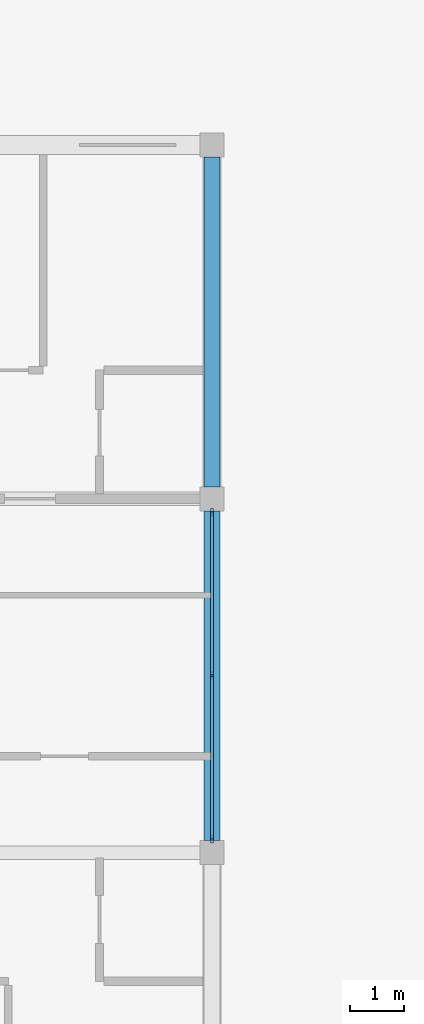
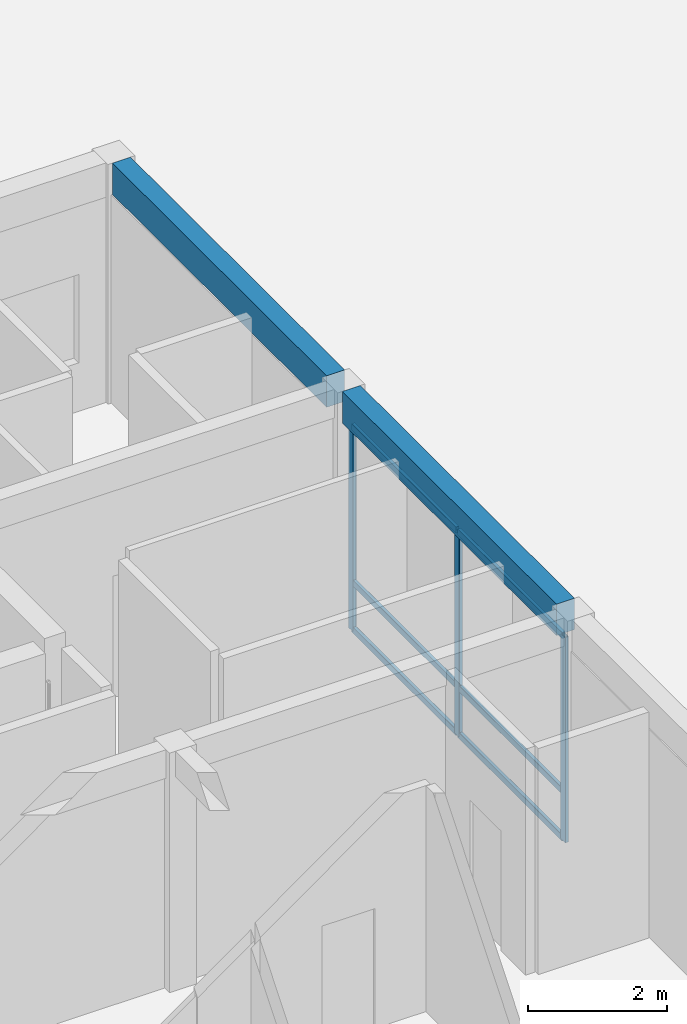
# One storey, part 15 of 92: 9 members, 2 beams, 1 element without a shape of its own.
"""IFC4 building model written with IfcOpenShell, lengths in metres."""

from ifc_helpers import new_model, si_unit, direction, frame, origin, origin_2d, place, context, subcontext, project, spatial, rectangle, hollow_rectangle, extrude, material, material_profile, profile_set, type_object, element, aggregate, save


model = new_model("IFC4")

# Units and contexts
model_context = context("Model", 3, precision=1e-05, world=origin(), true_north=direction((0.0, 1.0)))
body_context = subcontext(model_context, "Body", "Model", "MODEL_VIEW")
ifc_project = project(units=[si_unit("LENGTHUNIT", "METRE"), si_unit("AREAUNIT", "SQUARE_METRE"), si_unit("VOLUMEUNIT", "CUBIC_METRE"), si_unit("PLANEANGLEUNIT", "RADIAN"), si_unit("MASSUNIT", "GRAM", prefix="KILO")], contexts=[model_context])

# Site, building, storey
site_placement = place(None, origin())
site = spatial("IfcSite", under=ifc_project, at=site_placement, CompositionType="ELEMENT")
building_placement = place(site_placement, origin())
building = spatial("IfcBuilding", under=site, at=building_placement, Name="Kernevlak Ridge Housing Community", CompositionType="ELEMENT")
storey_placement = place(building_placement, frame((0.0, 0.0, 4.199951171875)))
storey = spatial("IfcBuildingStorey", under=building, at=storey_placement, Name="L01", CompositionType="ELEMENT", Elevation=4.199951171875)

# Curtain wall, members
ifc_material_1 = material(Name="Aluminium EN AW-6060 anodised and laminated glass", Category="aluminium")
curtain_wall_type = type_object("IfcCurtainWallType", Name="CW-03", PredefinedType="NOTDEFINED", material=ifc_material_1)
curtain_wall_placement = place(storey_placement, origin())
curtain_wall = element("IfcCurtainWall", 1, at=curtain_wall_placement, inside=storey, type_object=curtain_wall_type, Name="Curtain wall CW-03 CW-L01-144", PredefinedType="NOTDEFINED")
ifc_material_2 = material(Name="Aluminium EN AW-6060 anodised", Category="aluminium")
ifc_material_profile_1 = material_profile(ifc_material_2, hollow_rectangle(XDim=0.054931640625, YDim=0.139892578125, WallThickness=0.00390625, InnerFilletRadius=0.001953125, OuterFilletRadius=0.00390625, at=origin_2d()), Name="ALU 55x140x4")
ifc_profile_set_1 = profile_set([ifc_material_profile_1], Name="Aluminium EN AW-6060 anodised")
member_type_1 = type_object("IfcMemberType", Name="MU-01", PredefinedType="MULLION", material=ifc_profile_set_1)
member_1_placement = place(storey_placement, frame((42.0, 22.452392578125, 0.0), z_axis=(0.0, 0.0, 1.0), x_axis=(-1.0, 0.0, 0.0)))
member_1 = element("IfcMember", 2, at=member_1_placement, type_object=member_type_1, Name="CW-03 mullion 1", PredefinedType="MULLION", context=body_context, shape_type="SweptSolid", body=[
    extrude(hollow_rectangle(XDim=0.054931640625, YDim=0.139892578125, WallThickness=0.00390625, InnerFilletRadius=0.001953125, OuterFilletRadius=0.00390625, at=origin_2d()), origin(), (0.0, 0.0, 1.0), 3.60009765625),
])
member_2_placement = place(storey_placement, frame((42.0, 25.5, 0.0), z_axis=(0.0, 0.0, 1.0), x_axis=(-1.0, 0.0, 0.0)))
member_2 = element("IfcMember", 3, at=member_2_placement, type_object=member_type_1, Name="CW-03 mullion 2", PredefinedType="MULLION", context=body_context, shape_type="SweptSolid", body=[
    extrude(hollow_rectangle(XDim=0.054931640625, YDim=0.139892578125, WallThickness=0.00390625, InnerFilletRadius=0.001953125, OuterFilletRadius=0.00390625, at=origin_2d()), origin(), (0.0, 0.0, 1.0), 3.60009765625),
])
member_3_placement = place(storey_placement, frame((42.0, 28.547607421875, 0.0), z_axis=(0.0, 0.0, 1.0), x_axis=(-1.0, 0.0, 0.0)))
member_3 = element("IfcMember", 4, at=member_3_placement, type_object=member_type_1, Name="CW-03 mullion 3", PredefinedType="MULLION", context=body_context, shape_type="SweptSolid", body=[
    extrude(hollow_rectangle(XDim=0.054931640625, YDim=0.139892578125, WallThickness=0.00390625, InnerFilletRadius=0.001953125, OuterFilletRadius=0.00390625, at=origin_2d()), origin(), (0.0, 0.0, 1.0), 3.60009765625),
])

# Beams
ifc_material_3 = material(Name="Concrete C35/45", Category="concrete")
ifc_material_profile_2 = material_profile(ifc_material_3, rectangle(XDim=0.300048828125, YDim=0.550048828125, at=origin_2d()), Name="RC 300x550")
ifc_profile_set_2 = profile_set([ifc_material_profile_2], Name="Concrete C35/45")
beam_type = type_object("IfcBeamType", Name="SP-01", PredefinedType="SPANDREL", material=ifc_profile_set_2)
beam_1_placement = place(storey_placement, frame((42.0, 22.425048828125, 3.925048828125), z_axis=(0.0, 1.0, 0.0), x_axis=(-1.0, 0.0, 0.0)))
element("IfcBeam", 5, at=beam_1_placement, inside=storey, type_object=beam_type, Name="Beam SP-01 L01 1364", PredefinedType="SPANDREL", context=body_context, shape_type="SweptSolid", body=[
    extrude(rectangle(XDim=0.300048828125, YDim=0.550048828125, at=origin_2d()), origin(), (0.0, 0.0, 1.0), 6.14990234375),
])
beam_2_placement = place(storey_placement, frame((42.0, 29.02490234375, 3.925048828125), z_axis=(0.0, 1.0, 0.0), x_axis=(-1.0, 0.0, 0.0)))
element("IfcBeam", 6, at=beam_2_placement, inside=storey, type_object=beam_type, Name="Beam SP-01 L01 1365", PredefinedType="SPANDREL", context=body_context, shape_type="SweptSolid", body=[
    extrude(rectangle(XDim=0.300048828125, YDim=0.550048828125, at=origin_2d()), origin(), (0.0, 0.0, 1.0), 6.150146484375),
])

# Member
ifc_material_profile_3 = material_profile(ifc_material_2, hollow_rectangle(XDim=0.054931640625, YDim=0.110107421875, WallThickness=0.00390625, InnerFilletRadius=0.001953125, OuterFilletRadius=0.00390625, at=origin_2d()), Name="ALU 55x110x4")
ifc_profile_set_3 = profile_set([ifc_material_profile_3], Name="Aluminium EN AW-6060 anodised")
member_type_2 = type_object("IfcMemberType", Name="TM-01", PredefinedType="USERDEFINED", material=ifc_profile_set_3)
member_4_placement = place(storey_placement, frame((42.0, 22.47998046875, 0.027587890625), z_axis=(0.0, 1.0, 0.0), x_axis=(-1.0, 0.0, 0.0)))
member_4 = element("IfcMember", 7, at=member_4_placement, type_object=member_type_2, Name="CW-03 transom 1.1", ObjectType="TRANSOM", PredefinedType="USERDEFINED", context=body_context, shape_type="SweptSolid", body=[
    extrude(hollow_rectangle(XDim=0.054931640625, YDim=0.110107421875, WallThickness=0.00390625, InnerFilletRadius=0.001953125, OuterFilletRadius=0.00390625, at=origin_2d()), origin(), (0.0, 0.0, 1.0), 2.992431640625),
])

member_5_placement = place(storey_placement, frame((42.0, 22.47998046875, 0.85009765625), z_axis=(0.0, 1.0, 0.0), x_axis=(-1.0, 0.0, 0.0)))
member_5 = element("IfcMember", 8, at=member_5_placement, type_object=member_type_2, Name="CW-03 transom 1.2", ObjectType="TRANSOM", PredefinedType="USERDEFINED", context=body_context, shape_type="SweptSolid", body=[
    extrude(hollow_rectangle(XDim=0.054931640625, YDim=0.110107421875, WallThickness=0.00390625, InnerFilletRadius=0.001953125, OuterFilletRadius=0.00390625, at=origin_2d()), origin(), (0.0, 0.0, 1.0), 2.992431640625),
])

member_6_placement = place(storey_placement, frame((42.0, 22.47998046875, 3.572509765625), z_axis=(0.0, 1.0, 0.0), x_axis=(-1.0, 0.0, 0.0)))
member_6 = element("IfcMember", 9, at=member_6_placement, type_object=member_type_2, Name="CW-03 transom 1.3", ObjectType="TRANSOM", PredefinedType="USERDEFINED", context=body_context, shape_type="SweptSolid", body=[
    extrude(hollow_rectangle(XDim=0.054931640625, YDim=0.110107421875, WallThickness=0.00390625, InnerFilletRadius=0.001953125, OuterFilletRadius=0.00390625, at=origin_2d()), origin(), (0.0, 0.0, 1.0), 2.992431640625),
])

member_7_placement = place(storey_placement, frame((42.0, 25.527587890625, 0.027587890625), z_axis=(0.0, 1.0, 0.0), x_axis=(-1.0, 0.0, 0.0)))
member_7 = element("IfcMember", 10, at=member_7_placement, type_object=member_type_2, Name="CW-03 transom 2.1", ObjectType="TRANSOM", PredefinedType="USERDEFINED", context=body_context, shape_type="SweptSolid", body=[
    extrude(hollow_rectangle(XDim=0.054931640625, YDim=0.110107421875, WallThickness=0.00390625, InnerFilletRadius=0.001953125, OuterFilletRadius=0.00390625, at=origin_2d()), origin(), (0.0, 0.0, 1.0), 2.992431640625),
])

member_8_placement = place(storey_placement, frame((42.0, 25.527587890625, 0.85009765625), z_axis=(0.0, 1.0, 0.0), x_axis=(-1.0, 0.0, 0.0)))
member_8 = element("IfcMember", 11, at=member_8_placement, type_object=member_type_2, Name="CW-03 transom 2.2", ObjectType="TRANSOM", PredefinedType="USERDEFINED", context=body_context, shape_type="SweptSolid", body=[
    extrude(hollow_rectangle(XDim=0.054931640625, YDim=0.110107421875, WallThickness=0.00390625, InnerFilletRadius=0.001953125, OuterFilletRadius=0.00390625, at=origin_2d()), origin(), (0.0, 0.0, 1.0), 2.992431640625),
])

member_9_placement = place(storey_placement, frame((42.0, 25.527587890625, 3.572509765625), z_axis=(0.0, 1.0, 0.0), x_axis=(-1.0, 0.0, 0.0)))
member_9 = element("IfcMember", 12, at=member_9_placement, type_object=member_type_2, Name="CW-03 transom 2.3", ObjectType="TRANSOM", PredefinedType="USERDEFINED", context=body_context, shape_type="SweptSolid", body=[
    extrude(hollow_rectangle(XDim=0.054931640625, YDim=0.110107421875, WallThickness=0.00390625, InnerFilletRadius=0.001953125, OuterFilletRadius=0.00390625, at=origin_2d()), origin(), (0.0, 0.0, 1.0), 2.992431640625),
])

aggregate(curtain_wall, [member_1, member_2, member_3, member_4, member_5, member_6, member_7, member_8, member_9])

save(model, "model.ifc")
